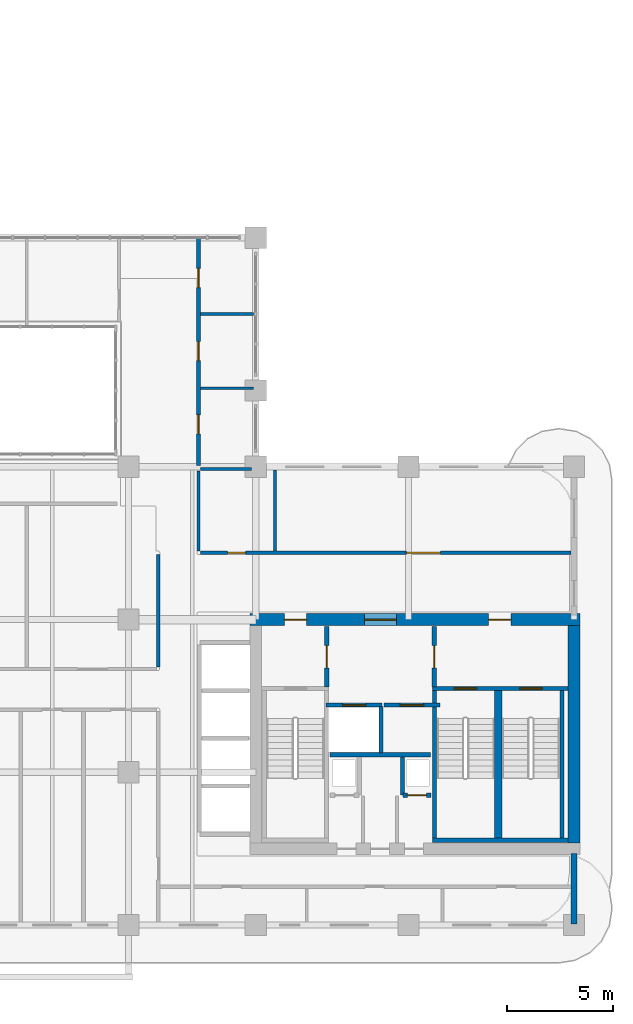
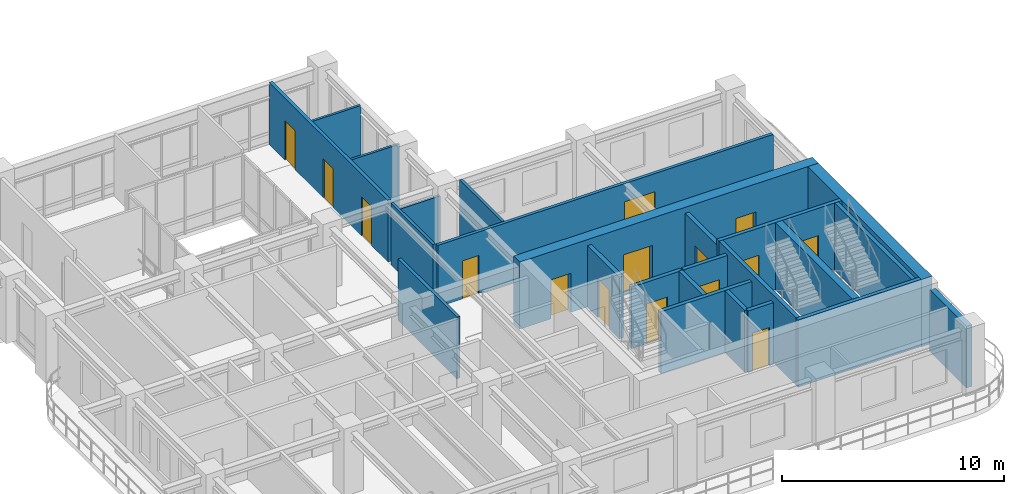
# One storey, part 13 of 21: 24 walls, 15 doors, 15 openings.
"""IFC4 building model written with IfcOpenShell, lengths in metres."""

from ifc_helpers import new_model, si_unit, derived_unit, direction, frame, frame_2d, origin, place, context, subcontext, project, spatial, rectangle, extrude, source, transform, mapped, material, layer, layer_set, type_object, type_shapes, element, fill, save


model = new_model("IFC4")

# Units and contexts
model_context = context("Model", 3, precision=1e-05, world=origin(), true_north=direction((0.0, 1.0)))
body_context = subcontext(model_context, "Body", "Model", "MODEL_VIEW")
ifc_project = project(units=[si_unit("LENGTHUNIT", "METRE"), si_unit("AREAUNIT", "SQUARE_METRE"), si_unit("VOLUMEUNIT", "CUBIC_METRE"), si_unit("PLANEANGLEUNIT", "RADIAN"), si_unit("MASSUNIT", "GRAM", prefix="KILO"), si_unit("THERMODYNAMICTEMPERATUREUNIT", "KELVIN"), si_unit("POWERUNIT", "WATT"), derived_unit("THERMALTRANSMITTANCEUNIT", [(si_unit("POWERUNIT", "WATT"), 1), (si_unit("AREAUNIT", "SQUARE_METRE"), -1), (si_unit("THERMODYNAMICTEMPERATUREUNIT", "KELVIN"), -1)])], contexts=[model_context])

# Site, building, storey
site_placement = place(None, origin())
site = spatial("IfcSite", under=ifc_project, at=site_placement, CompositionType="ELEMENT")
building_placement = place(site_placement, origin())
building = spatial("IfcBuilding", under=site, at=building_placement, Name="Zahravan Archway Hotel and Residences", CompositionType="ELEMENT")
storey_placement = place(building_placement, frame((0.0, 0.0, 141.39990234375)))
storey = spatial("IfcBuildingStorey", under=building, at=storey_placement, Name="L35", CompositionType="ELEMENT", Elevation=141.39990234375)

# Wall, openings, doors
ifc_material_1 = material(Name="Concrete C70/85", Category="concrete")
ifc_layer_1 = layer(ifc_material_1, 0.550048828125, Name="Concrete C70/85", Category="concrete")
ifc_layer_set_1 = layer_set([ifc_layer_1], Name="Concrete C70/85")
wall_type_1 = type_object("IfcWallType", Name="CW-CORE-550", PredefinedType="SHEAR", material=ifc_layer_set_1)
wall_1_placement = place(storey_placement, frame((34.52490234375, 14.39990234375, 0.0), z_axis=(0.0, 0.0, 1.0), x_axis=(1.0, 0.0, 0.0)))
wall_1 = element("IfcWall", 1, at=wall_1_placement, inside=storey, type_object=wall_type_1, Name="L35 Core A Shear N Wall 550 mm", PredefinedType="SHEAR", context=body_context, shape_type="SweptSolid", body=[
    extrude(rectangle(XDim=15.550048828125, YDim=0.550048828125, at=frame_2d((7.77490234375, 0.0))), origin(), (0.0, 0.0, 1.0), 3.7001953125),
])
opening_1_placement = place(wall_1_placement, frame((5.405029296875, 0.0, 0.0)))
opening_1 = element("IfcOpeningElement", 2, at=opening_1_placement, cuts=wall_1, Name="Opening FD-L1", PredefinedType="OPENING", context=body_context, shape_type="SweptSolid", body=[
    extrude(rectangle(XDim=1.5, YDim=2.199951171875, at=frame_2d((0.75, 1.10009765625))), frame((0.0, 0.28515625, 0.0), z_axis=(0.0, -1.0, 0.0), x_axis=(1.0, 0.0, 0.0)), (0.0, 0.0, 1.0), 0.570068359375),
])
opening_2_placement = place(wall_1_placement, frame((1.6201171875, 0.0, 0.0)))
opening_2 = element("IfcOpeningElement", 3, at=opening_2_placement, cuts=wall_1, Name="Opening FD-L2", PredefinedType="OPENING", context=body_context, shape_type="SweptSolid", body=[
    extrude(rectangle(XDim=1.050048828125, YDim=2.14990234375, at=frame_2d((0.52490234375, 1.074951171875))), frame((0.0, 0.28515625, 0.0), z_axis=(0.0, -1.0, 0.0), x_axis=(1.0, 0.0, 0.0)), (0.0, 0.0, 1.0), 0.570068359375),
])
opening_3_placement = place(wall_1_placement, frame((11.25, 0.0, 0.0)))
opening_3 = element("IfcOpeningElement", 4, at=opening_3_placement, cuts=wall_1, Name="Opening FD-L2", PredefinedType="OPENING", context=body_context, shape_type="SweptSolid", body=[
    extrude(rectangle(XDim=1.050048828125, YDim=2.14990234375, at=frame_2d((0.52490234375, 1.074951171875))), frame((0.0, 0.28515625, 0.0), z_axis=(0.0, -1.0, 0.0), x_axis=(1.0, 0.0, 0.0)), (0.0, 0.0, 1.0), 0.570068359375),
])
ifc_material_2 = material(Name="Fire-Rated Painted Steel", Category="steel")
door_type_1 = type_object("IfcDoorType", Name="FD-LOBBY-1100", OperationType="NOTDEFINED", PredefinedType="DOOR", material=ifc_material_2)
shared_shape_1 = source(origin(), body_context, "Body", "SweptSolid", [
    extrude(rectangle(XDim=1.050048828125, YDim=2.14990234375, at=frame_2d((0.52490234375, 1.074951171875))), frame((0.0, 0.02490234375, 0.0), z_axis=(0.0, -1.0, 0.0), x_axis=(1.0, 0.0, 0.0)), (0.0, 0.0, 1.0), 0.050048828125),
])
type_shapes(door_type_1, [shared_shape_1])
door_1_placement = place(opening_2_placement, origin())
door_1 = element("IfcDoor", 5, at=door_1_placement, inside=storey, type_object=door_type_1, Name="L35 Core A West Stair Lobby Door", OperationType="SINGLE_SWING_LEFT", OverallHeight=2.14990234375, OverallWidth=1.050048828125, PredefinedType="DOOR", context=body_context, shape_type="MappedRepresentation", body=[
    mapped(shared_shape_1, transform((0.0, 0.0, 0.0), scale=1.0)),
])
fill(opening_2, door_1)
door_2_placement = place(opening_3_placement, origin())
door_2 = element("IfcDoor", 6, at=door_2_placement, inside=storey, type_object=door_type_1, Name="L35 Core A East Stair Lobby Door", OperationType="SINGLE_SWING_RIGHT", OverallHeight=2.14990234375, OverallWidth=1.050048828125, PredefinedType="DOOR", context=body_context, shape_type="MappedRepresentation", body=[
    mapped(shared_shape_1, transform((0.0, 0.0, 0.0), scale=1.0)),
])
fill(opening_3, door_2)
door_type_2 = type_object("IfcDoorType", Name="FD-LOBBY-1500", OperationType="DOUBLE_DOOR_SINGLE_SWING", PredefinedType="DOOR", material=ifc_material_2)
shared_shape_2 = source(origin(), body_context, "Body", "SweptSolid", [
    extrude(rectangle(XDim=1.5, YDim=2.199951171875, at=frame_2d((0.75, 1.10009765625))), frame((0.0, 0.02490234375, 0.0), z_axis=(0.0, -1.0, 0.0), x_axis=(1.0, 0.0, 0.0)), (0.0, 0.0, 1.0), 0.050048828125),
])
type_shapes(door_type_2, [shared_shape_2])
door_3_placement = place(opening_1_placement, origin())
door_3 = element("IfcDoor", 7, at=door_3_placement, inside=storey, type_object=door_type_2, Name="L35 Core A FSAE Lobby Main Door", OperationType="DOUBLE_DOOR_SINGLE_SWING", OverallHeight=2.199951171875, OverallWidth=1.5, PredefinedType="DOOR", context=body_context, shape_type="MappedRepresentation", body=[
    mapped(shared_shape_2, transform((0.0, 0.0, 0.0), scale=1.0)),
])
fill(opening_1, door_3)

# Walls
wall_2_placement = place(storey_placement, frame((49.800048828125, 3.875, 0.0), z_axis=(0.0, 0.0, 1.0), x_axis=(0.0, 1.0, 0.0)))
element("IfcWall", 8, at=wall_2_placement, inside=storey, type_object=wall_type_1, Name="L35 Core A Shear E Wall 550 mm", PredefinedType="SHEAR", context=body_context, shape_type="SweptSolid", body=[
    extrude(rectangle(XDim=10.25, YDim=0.550048828125, at=frame_2d((5.125, 0.0))), origin(), (0.0, 0.0, 1.0), 3.7001953125),
])
ifc_material_3 = material(Name="Honed Red-Ochre Sandstone & Insulated Block", Category="masonry")
ifc_layer_2 = layer(ifc_material_3, 0.280029296875, Name="Honed Red-Ochre Sandstone & Insulated Block", Category="masonry")
ifc_layer_set_2 = layer_set([ifc_layer_2], Name="Honed Red-Ochre Sandstone & Insulated Block")
wall_type_2 = type_object("IfcWallType", Name="EW-LOG-280", PredefinedType="SOLIDWALL", material=ifc_layer_set_2)
wall_3_placement = place(storey_placement, frame((49.800048828125, 0.050048828125, 0.0), z_axis=(0.0, 0.0, 1.0), x_axis=(0.0, 1.0, 0.0)))
element("IfcWall", 9, at=wall_3_placement, inside=storey, type_object=wall_type_2, Name="L35 Exterior Sandstone Wall WA-ES", PredefinedType="SOLIDWALL", context=body_context, shape_type="SweptSolid", body=[
    extrude(rectangle(XDim=3.329833984375, YDim=0.280029296875, at=frame_2d((1.6650390625, 0.0))), origin(), (0.0, 0.0, 1.0), 3.400146484375),
])

# Wall, opening, door
ifc_material_4 = material(Name="Fire-Rated Gypsum & Concrete Block", Category="concrete")
ifc_layer_3 = layer(ifc_material_4, 0.219970703125, Name="Fire-Rated Gypsum & Concrete Block", Category="concrete")
ifc_layer_set_3 = layer_set([ifc_layer_3], Name="Fire-Rated Gypsum & Concrete Block")
wall_type_3 = type_object("IfcWallType", Name="PW-COMP-220", PredefinedType="PARTITIONING", material=ifc_layer_set_3)
wall_4_placement = place(storey_placement, frame((38.139892578125, 11.219970703125, 0.0), z_axis=(0.0, 0.0, 1.0), x_axis=(0.0, 1.0, 0.0)))
wall_4 = element("IfcWall", 10, at=wall_4_placement, inside=storey, type_object=wall_type_3, Name="L35 Partition CA-LOBW", PredefinedType="PARTITIONING", context=body_context, shape_type="SweptSolid", body=[
    extrude(rectangle(XDim=2.860107421875, YDim=0.219970703125, at=frame_2d((1.43017578125, 0.0))), origin(), (0.0, 0.0, 1.0), 3.400146484375),
])
opening_4_placement = place(wall_4_placement, frame((0.905029296875, 0.0, 0.0)))
opening_4 = element("IfcOpeningElement", 11, at=opening_4_placement, cuts=wall_4, Name="Opening FD-L2", PredefinedType="OPENING", context=body_context, shape_type="SweptSolid", body=[
    extrude(rectangle(XDim=1.050048828125, YDim=2.14990234375, at=frame_2d((0.52490234375, 1.074951171875))), frame((0.0, 0.1201171875, 0.0), z_axis=(0.0, -1.0, 0.0), x_axis=(1.0, 0.0, 0.0)), (0.0, 0.0, 1.0), 0.239990234375),
])
door_4_placement = place(opening_4_placement, origin())
door_4 = element("IfcDoor", 12, at=door_4_placement, inside=storey, type_object=door_type_1, Name="L35 Core A West Stair to FSAE Lobby Door", OperationType="SINGLE_SWING_LEFT", OverallHeight=2.14990234375, OverallWidth=1.050048828125, PredefinedType="DOOR", context=body_context, shape_type="MappedRepresentation", body=[
    mapped(shared_shape_1, transform((0.0, 0.0, 0.0), scale=1.0)),
])
fill(opening_4, door_4)

wall_5_placement = place(storey_placement, frame((43.219970703125, 11.219970703125, 0.0), z_axis=(0.0, 0.0, 1.0), x_axis=(0.0, 1.0, 0.0)))
wall_5 = element("IfcWall", 13, at=wall_5_placement, inside=storey, type_object=wall_type_3, Name="L35 Partition CA-LOBE", PredefinedType="PARTITIONING", context=body_context, shape_type="SweptSolid", body=[
    extrude(rectangle(XDim=2.860107421875, YDim=0.219970703125, at=frame_2d((1.43017578125, 0.0))), origin(), (0.0, 0.0, 1.0), 3.400146484375),
])
opening_5_placement = place(wall_5_placement, frame((0.905029296875, 0.0, 0.0)))
opening_5 = element("IfcOpeningElement", 14, at=opening_5_placement, cuts=wall_5, Name="Opening FD-L2", PredefinedType="OPENING", context=body_context, shape_type="SweptSolid", body=[
    extrude(rectangle(XDim=1.050048828125, YDim=2.14990234375, at=frame_2d((0.52490234375, 1.074951171875))), frame((0.0, 0.1201171875, 0.0), z_axis=(0.0, -1.0, 0.0), x_axis=(1.0, 0.0, 0.0)), (0.0, 0.0, 1.0), 0.239990234375),
])
door_5_placement = place(opening_5_placement, origin())
door_5 = element("IfcDoor", 15, at=door_5_placement, inside=storey, type_object=door_type_1, Name="L35 Core A East Stair to FSAE Lobby Door", OperationType="SINGLE_SWING_RIGHT", OverallHeight=2.14990234375, OverallWidth=1.050048828125, PredefinedType="DOOR", context=body_context, shape_type="MappedRepresentation", body=[
    mapped(shared_shape_1, transform((0.0, 0.0, 0.0), scale=1.0)),
])
fill(opening_5, door_5)

# Wall
ifc_layer_4 = layer(ifc_material_4, 0.159912109375, Name="Fire-Rated Gypsum & Concrete Block", Category="concrete")
ifc_layer_set_4 = layer_set([ifc_layer_4], Name="Fire-Rated Gypsum & Concrete Block")
wall_type_4 = type_object("IfcWallType", Name="PW-CORR-160", PredefinedType="PARTITIONING", material=ifc_layer_set_4)
wall_6_placement = place(storey_placement, frame((30.199951171875, 12.159912109375, 0.0), z_axis=(0.0, 0.0, 1.0), x_axis=(0.0, 1.0, 0.0)))
element("IfcWall", 16, at=wall_6_placement, inside=storey, type_object=wall_type_4, Name="L35 Partition WA-FW", PredefinedType="PARTITIONING", context=body_context, shape_type="SweptSolid", body=[
    extrude(rectangle(XDim=5.300048828125, YDim=0.159912109375, at=frame_2d((2.64990234375, 0.0))), origin(), (0.0, 0.0, 1.0), 3.400146484375),
])

# Wall, openings, doors
wall_7_placement = place(storey_placement, frame((32.18994140625, 17.550048828125, 0.0), z_axis=(0.0, 0.0, 1.0), x_axis=(1.0, 0.0, 0.0)))
wall_7 = element("IfcWall", 17, at=wall_7_placement, inside=storey, type_object=wall_type_4, Name="L35 Partition WA-FN", PredefinedType="PARTITIONING", context=body_context, shape_type="SweptSolid", body=[
    extrude(rectangle(XDim=17.469970703125, YDim=0.159912109375, at=frame_2d((8.73486328125, 0.0))), origin(), (0.0, 0.0, 1.0), 3.400146484375),
])
opening_6_placement = place(wall_7_placement, frame((1.284912109375, 0.0, 0.0)))
opening_6 = element("IfcOpeningElement", 18, at=opening_6_placement, cuts=wall_7, Name="Opening D-B1", PredefinedType="OPENING", context=body_context, shape_type="SweptSolid", body=[
    extrude(rectangle(XDim=0.85009765625, YDim=2.10009765625, at=frame_2d((0.425048828125, 1.050048828125))), frame((0.0, 0.08984375, 0.0), z_axis=(0.0, -1.0, 0.0), x_axis=(1.0, 0.0, 0.0)), (0.0, 0.0, 1.0), 0.179931640625),
])
opening_7_placement = place(wall_7_placement, frame((9.7099609375, 0.0, 0.0)))
opening_7 = element("IfcOpeningElement", 19, at=opening_7_placement, cuts=wall_7, Name="Opening D-P2", PredefinedType="OPENING", context=body_context, shape_type="SweptSolid", body=[
    extrude(rectangle(XDim=1.60009765625, YDim=2.39990234375, at=frame_2d((0.800048828125, 1.199951171875))), frame((0.0, 0.08984375, 0.0), z_axis=(0.0, -1.0, 0.0), x_axis=(1.0, 0.0, 0.0)), (0.0, 0.0, 1.0), 0.179931640625),
])
ifc_material_5 = material(Name="Bronze-Anodized Glazed Aluminium", Category="aluminium")
door_type_3 = type_object("IfcDoorType", Name="ID-PUBLIC-1600", OperationType="DOUBLE_DOOR_SINGLE_SWING", PredefinedType="DOOR", material=ifc_material_5)
shared_shape_3 = source(origin(), body_context, "Body", "SweptSolid", [
    extrude(rectangle(XDim=1.60009765625, YDim=2.39990234375, at=frame_2d((0.800048828125, 1.199951171875))), frame((0.0, 0.02490234375, 0.0), z_axis=(0.0, -1.0, 0.0), x_axis=(1.0, 0.0, 0.0)), (0.0, 0.0, 1.0), 0.050048828125),
])
type_shapes(door_type_3, [shared_shape_3])
door_6_placement = place(opening_7_placement, origin())
door_6 = element("IfcDoor", 20, at=door_6_placement, inside=storey, type_object=door_type_3, Name="L35 North Fitness Gym Door", OperationType="DOUBLE_DOOR_SINGLE_SWING", OverallHeight=2.39990234375, OverallWidth=1.60009765625, PredefinedType="DOOR", context=body_context, shape_type="MappedRepresentation", body=[
    mapped(shared_shape_3, transform((0.0, 0.0, 0.0), scale=1.0)),
])
fill(opening_7, door_6)
ifc_material_6 = material(Name="Hardwood Veneer Timber", Category="wood")
door_type_4 = type_object("IfcDoorType", Name="ID-BATH-850", OperationType="NOTDEFINED", PredefinedType="DOOR", material=ifc_material_6)
shared_shape_4 = source(origin(), body_context, "Body", "SweptSolid", [
    extrude(rectangle(XDim=0.85009765625, YDim=2.10009765625, at=frame_2d((0.425048828125, 1.050048828125))), frame((0.0, 0.02490234375, 0.0), z_axis=(0.0, -1.0, 0.0), x_axis=(1.0, 0.0, 0.0)), (0.0, 0.0, 1.0), 0.050048828125),
])
type_shapes(door_type_4, [shared_shape_4])
door_7_placement = place(opening_6_placement, origin())
door_7 = element("IfcDoor", 21, at=door_7_placement, inside=storey, type_object=door_type_4, Name="L35 Accessible Restroom Door", OperationType="SINGLE_SWING_LEFT", OverallHeight=2.10009765625, OverallWidth=0.85009765625, PredefinedType="DOOR", context=body_context, shape_type="MappedRepresentation", body=[
    mapped(shared_shape_4, transform((0.0, 0.0, 0.0), scale=1.0)),
])
fill(opening_6, door_7)

# Walls
ifc_material_7 = material(Name="Acoustic Stud Partition")
ifc_layer_5 = layer(ifc_material_7, 0.125, Name="Acoustic Stud Partition")
ifc_layer_set_5 = layer_set([ifc_layer_5], Name="Acoustic Stud Partition")
wall_type_5 = type_object("IfcWallType", Name="PW-INT-125", PredefinedType="PARTITIONING", material=ifc_layer_set_5)
for number, where, z_axis, x_axis, name in (
    (22, (32.18994140625, 25.300048828125, 0.0), (0.0, 0.0, 1.0), (1.0, 0.0, 0.0), "L35 Partition ATR-EM3A"),
    (23, (32.18994140625, 28.800048828125, 0.0), (0.0, 0.0, 1.0), (1.0, 0.0, 0.0), "L35 Partition ATR-EM3B"),
):
    element("IfcWall", number, at=place(storey_placement, frame(where, z_axis=z_axis, x_axis=x_axis)), inside=storey, type_object=wall_type_5, Name=name, PredefinedType="PARTITIONING", context=body_context, shape_type="SweptSolid", body=[
        extrude(rectangle(XDim=2.5, YDim=0.125, at=frame_2d((1.25, 0.0))), origin(), (0.0, 0.0, 1.0), 3.400146484375),
    ])
ifc_layer_6 = layer(ifc_material_4, 0.199951171875, Name="Fire-Rated Gypsum & Concrete Block", Category="concrete")
ifc_layer_set_6 = layer_set([ifc_layer_6], Name="Fire-Rated Gypsum & Concrete Block")
wall_type_6 = type_object("IfcWallType", Name="PW-SHAFT-200", PredefinedType="PARTITIONING", material=ifc_layer_set_6)
wall_8_placement = place(storey_placement, frame((38.300048828125, 8.030029296875, 0.0), z_axis=(0.0, 0.0, 1.0), x_axis=(1.0, 0.0, 0.0)))
element("IfcWall", 24, at=wall_8_placement, inside=storey, type_object=wall_type_6, Name="L35 Partition CA-FLS", PredefinedType="PARTITIONING", context=body_context, shape_type="SweptSolid", body=[
    extrude(rectangle(XDim=4.739990234375, YDim=0.199951171875, at=frame_2d((2.3701171875, 0.0))), origin(), (0.0, 0.0, 1.0), 3.400146484375),
])
wall_9_placement = place(storey_placement, frame((40.699951171875, 8.1201171875, 0.0), z_axis=(0.0, 0.0, 1.0), x_axis=(0.0, 1.0, 0.0)))
element("IfcWall", 25, at=wall_9_placement, inside=storey, type_object=wall_type_6, Name="L35 Partition CA-FLM", PredefinedType="PARTITIONING", context=body_context, shape_type="SweptSolid", body=[
    extrude(rectangle(XDim=2.179931640625, YDim=0.199951171875, at=frame_2d((1.08984375, 0.0))), origin(), (0.0, 0.0, 1.0), 3.400146484375),
])

# Wall, opening, door
wall_10_placement = place(storey_placement, frame((41.72998046875, 6.1201171875, 0.0), z_axis=(0.0, 0.0, 1.0), x_axis=(1.0, 0.0, 0.0)))
wall_10 = element("IfcWall", 26, at=wall_10_placement, inside=storey, type_object=wall_type_6, Name="L35 Partition CA-MEPS", PredefinedType="PARTITIONING", context=body_context, shape_type="SweptSolid", body=[
    extrude(rectangle(XDim=1.320068359375, YDim=0.199951171875, at=frame_2d((0.66015625, 0.0))), origin(), (0.0, 0.0, 1.0), 3.400146484375),
])
opening_8_placement = place(wall_10_placement, frame((0.219970703125, 0.0, 0.0)))
opening_8 = element("IfcOpeningElement", 27, at=opening_8_placement, cuts=wall_10, Name="Opening FD-R1", PredefinedType="OPENING", context=body_context, shape_type="SweptSolid", body=[
    extrude(rectangle(XDim=0.89990234375, YDim=2.10009765625, at=frame_2d((0.449951171875, 1.050048828125))), frame((0.0, 0.10986328125, 0.0), z_axis=(0.0, -1.0, 0.0), x_axis=(1.0, 0.0, 0.0)), (0.0, 0.0, 1.0), 0.219970703125),
])
door_type_5 = type_object("IfcDoorType", Name="FD-RISER-900", OperationType="NOTDEFINED", PredefinedType="DOOR", material=ifc_material_2)
shared_shape_5 = source(origin(), body_context, "Body", "SweptSolid", [
    extrude(rectangle(XDim=0.89990234375, YDim=2.10009765625, at=frame_2d((0.449951171875, 1.050048828125))), frame((0.0, 0.02490234375, 0.0), z_axis=(0.0, -1.0, 0.0), x_axis=(1.0, 0.0, 0.0)), (0.0, 0.0, 1.0), 0.050048828125),
])
type_shapes(door_type_5, [shared_shape_5])
door_8_placement = place(opening_8_placement, origin())
door_8 = element("IfcDoor", 28, at=door_8_placement, inside=storey, type_object=door_type_5, Name="L35 MEP Riser Access Door", OperationType="SINGLE_SWING_RIGHT", OverallHeight=2.10009765625, OverallWidth=0.89990234375, PredefinedType="DOOR", context=body_context, shape_type="MappedRepresentation", body=[
    mapped(shared_shape_5, transform((0.0, 0.0, 0.0), scale=1.0)),
])
fill(opening_8, door_8)

# Wall
wall_11_placement = place(storey_placement, frame((41.719970703125, 6.1298828125, 0.0), z_axis=(0.0, 0.0, 1.0), x_axis=(0.0, 1.0, 0.0)))
element("IfcWall", 29, at=wall_11_placement, inside=storey, type_object=wall_type_6, Name="L35 Partition CA-MEPW", PredefinedType="PARTITIONING", context=body_context, shape_type="SweptSolid", body=[
    extrude(rectangle(XDim=1.7900390625, YDim=0.199951171875, at=frame_2d((0.89501953125, 0.0))), origin(), (0.0, 0.0, 1.0), 3.400146484375),
])

# Wall, opening, door
wall_12_placement = place(storey_placement, frame((38.1201171875, 10.3701171875, 0.0), z_axis=(0.0, 0.0, 1.0), x_axis=(1.0, 0.0, 0.0)))
wall_12 = element("IfcWall", 30, at=wall_12_placement, inside=storey, type_object=wall_type_6, Name="L35 Lift FL-1 Front Wall", PredefinedType="PARTITIONING", context=body_context, shape_type="SweptSolid", body=[
    extrude(rectangle(XDim=2.639892578125, YDim=0.199951171875, at=frame_2d((1.31982421875, 0.0))), origin(), (0.0, 0.0, 1.0), 3.400146484375),
])
opening_9_placement = place(wall_12_placement, frame((0.77001953125, 0.0, 0.0)))
opening_9 = element("IfcOpeningElement", 31, at=opening_9_placement, cuts=wall_12, Name="Opening LD", PredefinedType="OPENING", context=body_context, shape_type="SweptSolid", body=[
    extrude(rectangle(XDim=1.10009765625, YDim=2.199951171875, at=frame_2d((0.550048828125, 1.10009765625))), frame((0.0, 0.10986328125, 0.0), z_axis=(0.0, -1.0, 0.0), x_axis=(1.0, 0.0, 0.0)), (0.0, 0.0, 1.0), 0.219970703125),
])
ifc_material_8 = material(Name="Brushed Stainless Steel", Category="steel")
door_type_6 = type_object("IfcDoorType", Name="DR-LIFT-LD", OperationType="SLIDING_TO_LEFT", PredefinedType="DOOR", material=ifc_material_8)
shared_shape_6 = source(origin(), body_context, "Body", "SweptSolid", [
    extrude(rectangle(XDim=1.10009765625, YDim=2.199951171875, at=frame_2d((0.550048828125, 1.10009765625))), frame((0.0, 0.02490234375, 0.0), z_axis=(0.0, -1.0, 0.0), x_axis=(1.0, 0.0, 0.0)), (0.0, 0.0, 1.0), 0.050048828125),
])
type_shapes(door_type_6, [shared_shape_6])
door_9_placement = place(opening_9_placement, origin())
door_9 = element("IfcDoor", 32, at=door_9_placement, inside=storey, type_object=door_type_6, Name="L35 Lift FL-1 Sliding Landing Door", OperationType="SLIDING_TO_LEFT", OverallHeight=2.199951171875, OverallWidth=1.10009765625, PredefinedType="DOOR", context=body_context, shape_type="MappedRepresentation", body=[
    mapped(shared_shape_6, transform((0.0, 0.0, 0.0), scale=1.0)),
])
fill(opening_9, door_9)

wall_13_placement = place(storey_placement, frame((40.840087890625, 10.3701171875, 0.0), z_axis=(0.0, 0.0, 1.0), x_axis=(1.0, 0.0, 0.0)))
wall_13 = element("IfcWall", 33, at=wall_13_placement, inside=storey, type_object=wall_type_6, Name="L35 Lift FL-2 Front Wall", PredefinedType="PARTITIONING", context=body_context, shape_type="SweptSolid", body=[
    extrude(rectangle(XDim=2.639892578125, YDim=0.199951171875, at=frame_2d((1.31982421875, 0.0))), origin(), (0.0, 0.0, 1.0), 3.400146484375),
])
opening_10_placement = place(wall_13_placement, frame((0.77001953125, 0.0, 0.0)))
opening_10 = element("IfcOpeningElement", 34, at=opening_10_placement, cuts=wall_13, Name="Opening LD", PredefinedType="OPENING", context=body_context, shape_type="SweptSolid", body=[
    extrude(rectangle(XDim=1.10009765625, YDim=2.199951171875, at=frame_2d((0.550048828125, 1.10009765625))), frame((0.0, 0.10986328125, 0.0), z_axis=(0.0, -1.0, 0.0), x_axis=(1.0, 0.0, 0.0)), (0.0, 0.0, 1.0), 0.219970703125),
])
door_10_placement = place(opening_10_placement, origin())
door_10 = element("IfcDoor", 35, at=door_10_placement, inside=storey, type_object=door_type_6, Name="L35 Lift FL-2 Sliding Landing Door", OperationType="SLIDING_TO_LEFT", OverallHeight=2.199951171875, OverallWidth=1.10009765625, PredefinedType="DOOR", context=body_context, shape_type="MappedRepresentation", body=[
    mapped(shared_shape_6, transform((0.0, 0.0, 0.0), scale=1.0)),
])
fill(opening_10, door_10)

# Wall, openings, doors
ifc_layer_7 = layer(ifc_material_7, 0.169921875, Name="Acoustic Stud Partition")
ifc_layer_set_7 = layer_set([ifc_layer_7], Name="Acoustic Stud Partition")
wall_type_7 = type_object("IfcWallType", Name="PW-UNIT-170", PredefinedType="PARTITIONING", material=ifc_layer_set_7)
wall_14_placement = place(storey_placement, frame((32.10009765625, 21.669921875, 0.0), z_axis=(0.0, 0.0, 1.0), x_axis=(0.0, 1.0, 0.0)))
wall_14 = element("IfcWall", 36, at=wall_14_placement, inside=storey, type_object=wall_type_7, Name="L35 Partition ATR-E", PredefinedType="PARTITIONING", context=body_context, shape_type="SweptSolid", body=[
    extrude(rectangle(XDim=10.7021484375, YDim=0.169921875, at=frame_2d((5.35107421875, 0.0))), origin(), (0.0, 0.0, 1.0), 3.400146484375),
])
opening_11_placement = place(wall_14_placement, frame((1.47998046875, 0.0, 0.0)))
opening_11 = element("IfcOpeningElement", 37, at=opening_11_placement, cuts=wall_14, Name="Opening D-I2", PredefinedType="OPENING", context=body_context, shape_type="SweptSolid", body=[
    extrude(rectangle(XDim=0.89990234375, YDim=2.14990234375, at=frame_2d((0.449951171875, 1.074951171875))), frame((0.0, 0.094970703125, 0.0), z_axis=(0.0, -1.0, 0.0), x_axis=(1.0, 0.0, 0.0)), (0.0, 0.0, 1.0), 0.18994140625),
])
opening_12_placement = place(wall_14_placement, frame((4.929931640625, 0.0, 0.0)))
opening_12 = element("IfcOpeningElement", 38, at=opening_12_placement, cuts=wall_14, Name="Opening D-I2", PredefinedType="OPENING", context=body_context, shape_type="SweptSolid", body=[
    extrude(rectangle(XDim=0.89990234375, YDim=2.14990234375, at=frame_2d((0.449951171875, 1.074951171875))), frame((0.0, 0.094970703125, 0.0), z_axis=(0.0, -1.0, 0.0), x_axis=(1.0, 0.0, 0.0)), (0.0, 0.0, 1.0), 0.18994140625),
])
opening_13_placement = place(wall_14_placement, frame((8.3798828125, 0.0, 0.0)))
opening_13 = element("IfcOpeningElement", 39, at=opening_13_placement, cuts=wall_14, Name="Opening D-I2", PredefinedType="OPENING", context=body_context, shape_type="SweptSolid", body=[
    extrude(rectangle(XDim=0.89990234375, YDim=2.14990234375, at=frame_2d((0.449951171875, 1.074951171875))), frame((0.0, 0.094970703125, 0.0), z_axis=(0.0, -1.0, 0.0), x_axis=(1.0, 0.0, 0.0)), (0.0, 0.0, 1.0), 0.18994140625),
])
door_type_7 = type_object("IfcDoorType", Name="ID-INT-900", OperationType="NOTDEFINED", PredefinedType="DOOR", material=ifc_material_6)
shared_shape_7 = source(origin(), body_context, "Body", "SweptSolid", [
    extrude(rectangle(XDim=0.89990234375, YDim=2.14990234375, at=frame_2d((0.449951171875, 1.074951171875))), frame((0.0, 0.02490234375, 0.0), z_axis=(0.0, -1.0, 0.0), x_axis=(1.0, 0.0, 0.0)), (0.0, 0.0, 1.0), 0.050048828125),
])
type_shapes(door_type_7, [shared_shape_7])
door_11_placement = place(opening_11_placement, origin())
door_11 = element("IfcDoor", 40, at=door_11_placement, inside=storey, type_object=door_type_7, Name="L35 Atrium Pantry Door", OperationType="SINGLE_SWING_RIGHT", OverallHeight=2.14990234375, OverallWidth=0.89990234375, PredefinedType="DOOR", context=body_context, shape_type="MappedRepresentation", body=[
    mapped(shared_shape_7, transform((0.0, 0.0, 0.0), scale=1.0)),
])
fill(opening_11, door_11)
door_12_placement = place(opening_12_placement, origin())
door_12 = element("IfcDoor", 41, at=door_12_placement, inside=storey, type_object=door_type_7, Name="L35 Atrium Study Door", OperationType="SINGLE_SWING_LEFT", OverallHeight=2.14990234375, OverallWidth=0.89990234375, PredefinedType="DOOR", context=body_context, shape_type="MappedRepresentation", body=[
    mapped(shared_shape_7, transform((0.0, 0.0, 0.0), scale=1.0)),
])
fill(opening_12, door_12)
door_13_placement = place(opening_13_placement, origin())
door_13 = element("IfcDoor", 42, at=door_13_placement, inside=storey, type_object=door_type_7, Name="L35 Atrium Clinic Door", OperationType="SINGLE_SWING_RIGHT", OverallHeight=2.14990234375, OverallWidth=0.89990234375, PredefinedType="DOOR", context=body_context, shape_type="MappedRepresentation", body=[
    mapped(shared_shape_7, transform((0.0, 0.0, 0.0), scale=1.0)),
])
fill(opening_13, door_13)

# Walls
ifc_material_9 = material(Name="Moisture-Resistant Blockwork", Category="masonry")
ifc_layer_8 = layer(ifc_material_9, 0.139892578125, Name="Moisture-Resistant Blockwork", Category="masonry")
ifc_layer_set_8 = layer_set([ifc_layer_8], Name="Moisture-Resistant Blockwork")
wall_type_8 = type_object("IfcWallType", Name="PW-WET-140", PredefinedType="PARTITIONING", material=ifc_layer_set_8)
wall_15_placement = place(storey_placement, frame((32.10009765625, 17.639892578125, 0.0), z_axis=(0.0, 0.0, 1.0), x_axis=(0.0, 1.0, 0.0)))
element("IfcWall", 43, at=wall_15_placement, inside=storey, type_object=wall_type_8, Name="L35 Partition NE-W0", PredefinedType="PARTITIONING", context=body_context, shape_type="SweptSolid", body=[
    extrude(rectangle(XDim=3.77001953125, YDim=0.139892578125, at=frame_2d((1.885009765625, 0.0))), origin(), (0.0, 0.0, 1.0), 3.400146484375),
])
wall_16_placement = place(storey_placement, frame((35.699951171875, 17.639892578125, 0.0), z_axis=(0.0, 0.0, 1.0), x_axis=(0.0, 1.0, 0.0)))
element("IfcWall", 44, at=wall_16_placement, inside=storey, type_object=wall_type_8, Name="L35 Partition NE1-1", PredefinedType="PARTITIONING", context=body_context, shape_type="SweptSolid", body=[
    extrude(rectangle(XDim=3.81201171875, YDim=0.139892578125, at=frame_2d((1.906005859375, 0.0))), origin(), (0.0, 0.0, 1.0), 3.400146484375),
])
wall_17_placement = place(storey_placement, frame((32.18994140625, 21.5, 0.0), z_axis=(0.0, 0.0, 1.0), x_axis=(1.0, 0.0, 0.0)))
element("IfcWall", 45, at=wall_17_placement, inside=storey, type_object=wall_type_8, Name="L35 Partition ATR-ES", PredefinedType="PARTITIONING", context=body_context, shape_type="SweptSolid", body=[
    extrude(rectangle(XDim=2.420166015625, YDim=0.139892578125, at=frame_2d((1.2099609375, 0.0))), origin(), (0.0, 0.0, 1.0), 2.885009765625),
])
ifc_material_10 = material(Name="Concrete C50/60", Category="concrete")
ifc_layer_9 = layer(ifc_material_10, 0.199951171875, Name="Concrete C50/60", Category="concrete")
ifc_layer_set_9 = layer_set([ifc_layer_9], Name="Concrete C50/60")
wall_type_9 = type_object("IfcWallType", Name="SW-STAIR-200", PredefinedType="SHEAR", material=ifc_layer_set_9)
wall_18_placement = place(storey_placement, frame((43.1201171875, 4.0, 0.0), z_axis=(0.0, 0.0, 1.0), x_axis=(1.0, 0.0, 0.0)))
element("IfcWall", 46, at=wall_18_placement, inside=storey, type_object=wall_type_9, Name="L35 Stairwell RC Wall CA-SA23S", PredefinedType="SHEAR", context=body_context, shape_type="SweptSolid", body=[
    extrude(rectangle(XDim=6.40478515625, YDim=0.199951171875, at=frame_2d((3.202392578125, 0.0))), origin(), (0.0, 0.0, 1.0), 3.7001953125),
])
for number, where, z_axis, x_axis, name in (
    (47, (43.219970703125, 4.10009765625, 0.0), (0.0, 0.0, 1.0), (0.0, 1.0, 0.0), "L35 Stairwell RC Wall CA-SA2W"),
    (48, (49.239990234375, 4.10009765625, 0.0), (0.0, 0.0, 1.0), (0.0, 1.0, 0.0), "L35 Stairwell RC Wall CA-SA3E"),
):
    element("IfcWall", number, at=place(storey_placement, frame(where, z_axis=z_axis, x_axis=x_axis)), inside=storey, type_object=wall_type_9, Name=name, PredefinedType="SHEAR", context=body_context, shape_type="SweptSolid", body=[
        extrude(rectangle(XDim=6.949951171875, YDim=0.199951171875, at=frame_2d((3.47509765625, 0.0))), origin(), (0.0, 0.0, 1.0), 3.7001953125),
    ])

# Wall, openings, doors
wall_19_placement = place(storey_placement, frame((43.1201171875, 11.14990234375, 0.0), z_axis=(0.0, 0.0, 1.0), x_axis=(1.0, 0.0, 0.0)))
wall_19 = element("IfcWall", 49, at=wall_19_placement, inside=storey, type_object=wall_type_9, Name="L35 Stairwell RC Wall CA-SA23N", PredefinedType="SHEAR", context=body_context, shape_type="SweptSolid", body=[
    extrude(rectangle(XDim=6.40478515625, YDim=0.199951171875, at=frame_2d((3.202392578125, 0.0))), origin(), (0.0, 0.0, 1.0), 3.7001953125),
])
opening_14_placement = place(wall_19_placement, frame((1.044921875, 0.0, 0.0)))
opening_14 = element("IfcOpeningElement", 50, at=opening_14_placement, cuts=wall_19, Name="Opening FD-S1", PredefinedType="OPENING", context=body_context, shape_type="SweptSolid", body=[
    extrude(rectangle(XDim=1.050048828125, YDim=2.199951171875, at=frame_2d((0.52490234375, 1.10009765625))), frame((0.0, 0.10986328125, 0.0), z_axis=(0.0, -1.0, 0.0), x_axis=(1.0, 0.0, 0.0)), (0.0, 0.0, 1.0), 0.219970703125),
])
opening_15_placement = place(wall_19_placement, frame((4.125, 0.0, 0.0)))
opening_15 = element("IfcOpeningElement", 51, at=opening_15_placement, cuts=wall_19, Name="Opening FD-S1", PredefinedType="OPENING", context=body_context, shape_type="SweptSolid", body=[
    extrude(rectangle(XDim=1.050048828125, YDim=2.199951171875, at=frame_2d((0.52490234375, 1.10009765625))), frame((0.0, 0.10986328125, 0.0), z_axis=(0.0, -1.0, 0.0), x_axis=(1.0, 0.0, 0.0)), (0.0, 0.0, 1.0), 0.219970703125),
])
door_type_8 = type_object("IfcDoorType", Name="FD-STAIR-1100", OperationType="NOTDEFINED", PredefinedType="DOOR", material=ifc_material_2)
shared_shape_8 = source(origin(), body_context, "Body", "SweptSolid", [
    extrude(rectangle(XDim=1.050048828125, YDim=2.199951171875, at=frame_2d((0.52490234375, 1.10009765625))), frame((0.0, 0.02490234375, 0.0), z_axis=(0.0, -1.0, 0.0), x_axis=(1.0, 0.0, 0.0)), (0.0, 0.0, 1.0), 0.050048828125),
])
type_shapes(door_type_8, [shared_shape_8])
door_14_placement = place(opening_14_placement, origin())
door_14 = element("IfcDoor", 52, at=door_14_placement, inside=storey, type_object=door_type_8, Name="L35 Stair ST-A2 Door", OperationType="SINGLE_SWING_LEFT", OverallHeight=2.199951171875, OverallWidth=1.050048828125, PredefinedType="DOOR", context=body_context, shape_type="MappedRepresentation", body=[
    mapped(shared_shape_8, transform((0.0, 0.0, 0.0), scale=1.0)),
])
fill(opening_14, door_14)
door_15_placement = place(opening_15_placement, origin())
door_15 = element("IfcDoor", 53, at=door_15_placement, inside=storey, type_object=door_type_8, Name="L35 Stair ST-A3 Door", OperationType="SINGLE_SWING_RIGHT", OverallHeight=2.199951171875, OverallWidth=1.050048828125, PredefinedType="DOOR", context=body_context, shape_type="MappedRepresentation", body=[
    mapped(shared_shape_8, transform((0.0, 0.0, 0.0), scale=1.0)),
])
fill(opening_15, door_15)

# Wall
ifc_layer_10 = layer(ifc_material_10, 0.340087890625, Name="Concrete C50/60", Category="concrete")
ifc_layer_set_10 = layer_set([ifc_layer_10], Name="Concrete C50/60")
wall_type_10 = type_object("IfcWallType", Name="SW-STAIR-340", PredefinedType="SHEAR", material=ifc_layer_set_10)
wall_20_placement = place(storey_placement, frame((46.22998046875, 4.10009765625, 0.0), z_axis=(0.0, 0.0, 1.0), x_axis=(0.0, 1.0, 0.0)))
element("IfcWall", 54, at=wall_20_placement, inside=storey, type_object=wall_type_10, Name="L35 Stairwell RC Wall CA-SA23M", PredefinedType="SHEAR", context=body_context, shape_type="SweptSolid", body=[
    extrude(rectangle(XDim=6.949951171875, YDim=0.340087890625, at=frame_2d((3.47509765625, 0.0))), origin(), (0.0, 0.0, 1.0), 3.7001953125),
])

save(model, "model.ifc")
